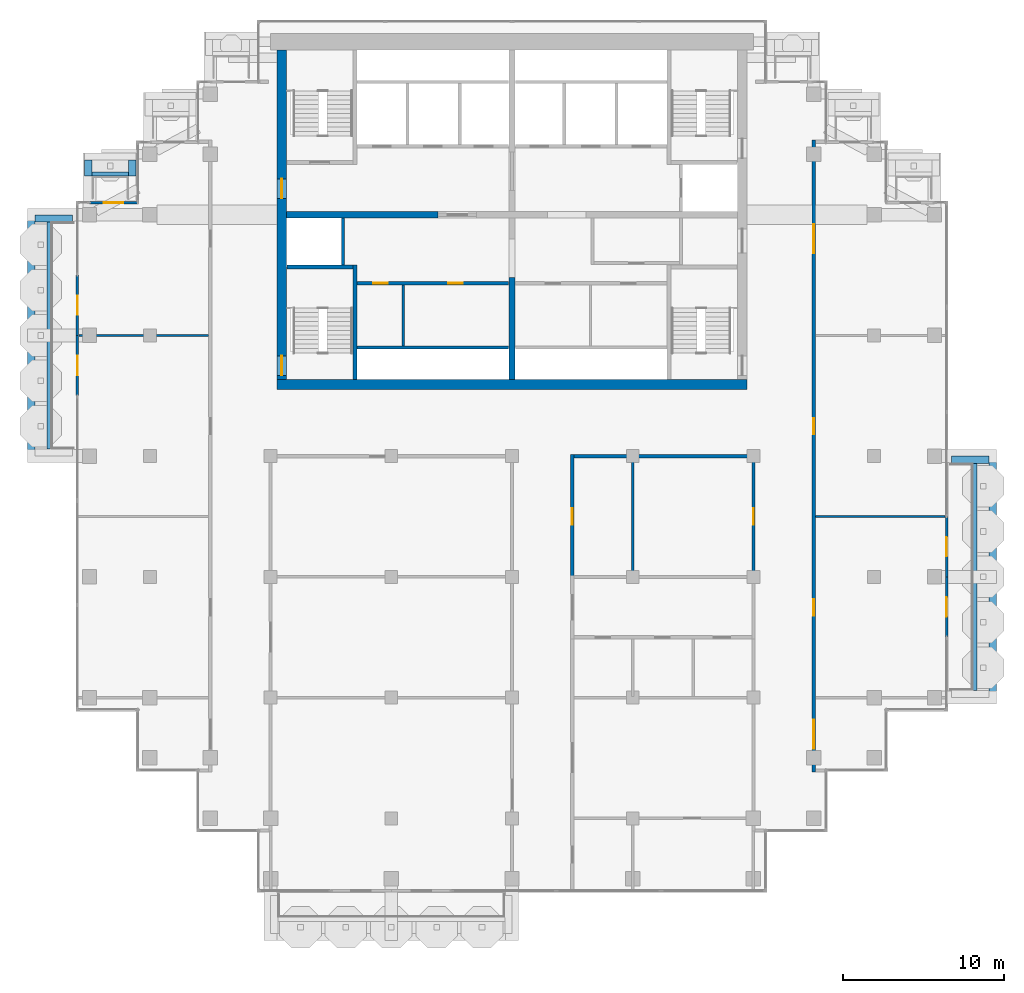
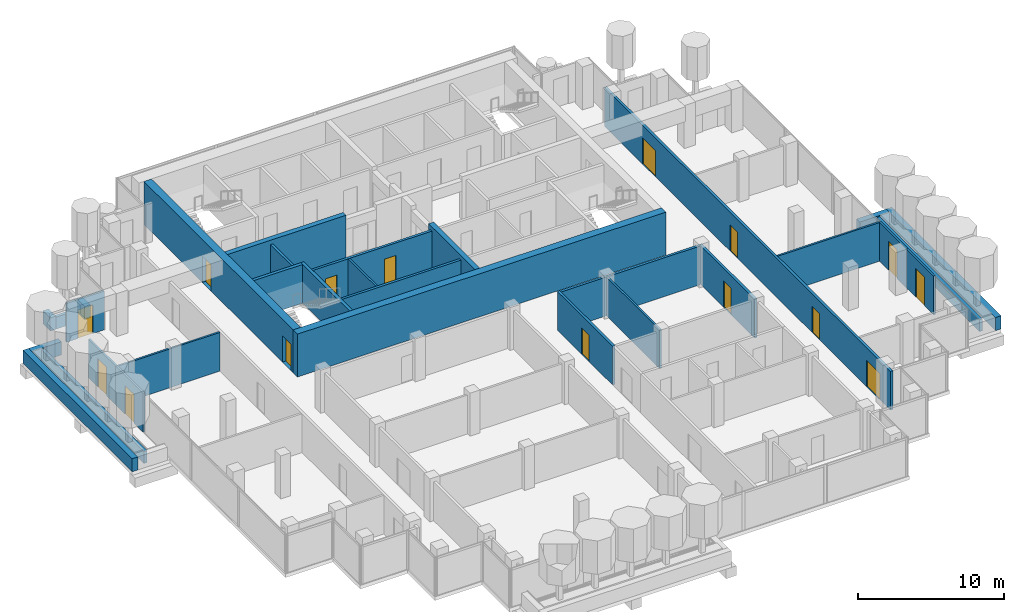
# One storey, part 12 of 18: 31 walls, 15 doors, 15 openings.
"""IFC4 building model written with IfcOpenShell, lengths in metres."""

from ifc_helpers import new_model, si_unit, direction, frame, frame_2d, origin, place, context, subcontext, project, spatial, rectangle, extrude, material, layer, layer_set, type_object, element, fill, save


model = new_model("IFC4")

# Units and contexts
model_context = context("Model", 3, precision=1e-05, world=origin(), true_north=direction((0.0, 1.0)))
body_context = subcontext(model_context, "Body", "Model", "MODEL_VIEW")
ifc_project = project(units=[si_unit("LENGTHUNIT", "METRE"), si_unit("AREAUNIT", "SQUARE_METRE"), si_unit("VOLUMEUNIT", "CUBIC_METRE"), si_unit("PLANEANGLEUNIT", "RADIAN"), si_unit("MASSUNIT", "GRAM", prefix="KILO")], contexts=[model_context])

# Site, building, storey
site_placement = place(None, origin())
site = spatial("IfcSite", under=ifc_project, at=site_placement, CompositionType="ELEMENT")
building_placement = place(site_placement, origin())
building = spatial("IfcBuilding", under=site, at=building_placement, Name="Pilkhan Gate Tower", CompositionType="ELEMENT")
storey_placement = place(building_placement, frame((0.0, 0.0, 249.89990234375)))
storey = spatial("IfcBuildingStorey", under=building, at=storey_placement, Name="L65", CompositionType="ELEMENT", Elevation=249.89990234375)

# Walls
ifc_material_1 = material(Name="Concrete C40/50", Category="concrete")
ifc_layer_1 = layer(ifc_material_1, 0.25)
ifc_layer_set_1 = layer_set([ifc_layer_1], Name="Balcony planter BP250")
wall_type_1 = type_object("IfcWallType", Name="Balcony planter BP250", PredefinedType="USERDEFINED", material=ifc_layer_set_1)
wall_1_placement = place(storey_placement, frame((103.77490234375, 52.949951171875, 0.0), z_axis=(0.0, 0.0, 1.0), x_axis=(0.0, 1.0, 0.0)))
element("IfcWall", 1, at=wall_1_placement, inside=storey, type_object=wall_type_1, Name="Balcony planter L65 E", ObjectType="BALCONY PLANTER", PredefinedType="USERDEFINED", context=body_context, shape_type="SweptSolid", body=[
    extrude(rectangle(XDim=14.10009765625, YDim=0.25, at=frame_2d((7.050048828125, 0.0))), origin(), (0.0, 0.0, 1.0), 1.0),
])
wall_2_placement = place(storey_placement, frame((48.89990234375, 85.02490234375, 0.0), z_axis=(0.0, 0.0, 1.0), x_axis=(1.0, 0.0, 0.0)))
element("IfcWall", 2, at=wall_2_placement, inside=storey, type_object=wall_type_1, Name="Balcony planter L65 N", ObjectType="BALCONY PLANTER", PredefinedType="USERDEFINED", context=body_context, shape_type="SweptSolid", body=[
    extrude(rectangle(XDim=2.280029296875, YDim=0.25, at=frame_2d((1.14013671875, 0.0))), origin(), (0.0, 0.0, 1.0), 1.0),
])
wall_3_placement = place(storey_placement, frame((46.22509765625, 67.949951171875, 0.0), z_axis=(0.0, 0.0, 1.0), x_axis=(0.0, 1.0, 0.0)))
element("IfcWall", 3, at=wall_3_placement, inside=storey, type_object=wall_type_1, Name="Balcony planter L65 W", ObjectType="BALCONY PLANTER", PredefinedType="USERDEFINED", context=body_context, shape_type="SweptSolid", body=[
    extrude(rectangle(XDim=14.10009765625, YDim=0.25, at=frame_2d((7.050048828125, 0.0))), origin(), (0.0, 0.0, 1.0), 1.0),
])
ifc_material_2 = material(Name="Board-marked Concrete C40/50", Category="concrete")
ifc_layer_2 = layer(ifc_material_2, 0.449951171875)
ifc_layer_set_2 = layer_set([ifc_layer_2], Name="Balcony planter lip BL450")
wall_type_2 = type_object("IfcWallType", Name="Balcony planter lip BL450", PredefinedType="USERDEFINED", material=ifc_layer_set_2)
wall_4_placement = place(storey_placement, frame((104.875, 52.5, 0.0), z_axis=(0.0, 0.0, 1.0), x_axis=(0.0, 1.0, 0.0)))
element("IfcWall", 4, at=wall_4_placement, inside=storey, type_object=wall_type_2, Name="Balcony planter L65 E", ObjectType="BALCONY PLANTER", PredefinedType="USERDEFINED", context=body_context, shape_type="SweptSolid", body=[
    extrude(rectangle(XDim=15.0, YDim=0.449951171875, at=frame_2d((7.5, 0.0))), origin(), (0.0, 0.0, 1.0), 1.10009765625),
])
wall_5_placement = place(storey_placement, frame((102.300048828125, 67.27490234375, 0.0), z_axis=(0.0, 0.0, 1.0), x_axis=(1.0, 0.0, 0.0)))
element("IfcWall", 5, at=wall_5_placement, inside=storey, type_object=wall_type_2, Name="Balcony planter L65 E", ObjectType="BALCONY PLANTER", PredefinedType="USERDEFINED", context=body_context, shape_type="SweptSolid", body=[
    extrude(rectangle(XDim=2.349853515625, YDim=0.449951171875, at=frame_2d((1.1748046875, 0.0))), origin(), (0.0, 0.0, 1.0), 1.10009765625),
])
for number, where, z_axis, x_axis, name in (
    (6, (48.675048828125, 84.89990234375, 0.0), (0.0, 0.0, 1.0), (0.0, 1.0, 0.0), "Balcony planter L65 N"),
    (7, (51.405029296875, 84.89990234375, 0.0), (0.0, 0.0, 1.0), (0.0, 1.0, 0.0), "Balcony planter L65 N"),
):
    element("IfcWall", number, at=place(storey_placement, frame(where, z_axis=z_axis, x_axis=x_axis)), inside=storey, type_object=wall_type_2, Name=name, ObjectType="BALCONY PLANTER", PredefinedType="USERDEFINED", context=body_context, shape_type="SweptSolid", body=[
        extrude(rectangle(XDim=1.0, YDim=0.449951171875, at=frame_2d((0.5, 0.0))), origin(), (0.0, 0.0, 1.0), 1.10009765625),
    ])
wall_6_placement = place(storey_placement, frame((45.125, 67.5, 0.0), z_axis=(0.0, 0.0, 1.0), x_axis=(0.0, 1.0, 0.0)))
element("IfcWall", 8, at=wall_6_placement, inside=storey, type_object=wall_type_2, Name="Balcony planter L65 W", ObjectType="BALCONY PLANTER", PredefinedType="USERDEFINED", context=body_context, shape_type="SweptSolid", body=[
    extrude(rectangle(XDim=15.0, YDim=0.449951171875, at=frame_2d((7.5, 0.0))), origin(), (0.0, 0.0, 1.0), 1.10009765625),
])
wall_7_placement = place(storey_placement, frame((47.699951171875, 82.27490234375, 0.0), z_axis=(0.0, 0.0, 1.0), x_axis=(-1.0, 0.0, 0.0)))
element("IfcWall", 9, at=wall_7_placement, inside=storey, type_object=wall_type_2, Name="Balcony planter L65 W", ObjectType="BALCONY PLANTER", PredefinedType="USERDEFINED", context=body_context, shape_type="SweptSolid", body=[
    extrude(rectangle(XDim=2.349853515625, YDim=0.449951171875, at=frame_2d((1.1748046875, 0.0))), origin(), (0.0, 0.0, 1.0), 1.10009765625),
])
ifc_material_3 = material(Name="Concrete C50/60", Category="concrete")
ifc_layer_3 = layer(ifc_material_3, 0.60009765625)
ifc_layer_set_3 = layer_set([ifc_layer_3], Name="Core wall CW600 C50/60")
wall_type_3 = type_object("IfcWallType", Name="Core wall CW600 C50/60", PredefinedType="SHEAR", material=ifc_layer_set_3)
wall_8_placement = place(storey_placement, frame((60.39990234375, 71.949951171875, 0.0), z_axis=(0.0, 0.0, 1.0), x_axis=(1.0, 0.0, 0.0)))
element("IfcWall", 10, at=wall_8_placement, inside=storey, type_object=wall_type_3, Name="Core wall S L65", PredefinedType="SHEAR", context=body_context, shape_type="SweptSolid", body=[
    extrude(rectangle(XDim=29.2001953125, YDim=0.60009765625, at=frame_2d((14.60009765625, 0.0))), origin(), (0.0, 0.0, 1.0), 3.60009765625),
])

# Wall, openings, doors
wall_9_placement = place(storey_placement, frame((60.699951171875, 92.75, 0.0), z_axis=(0.0, 0.0, 1.0), x_axis=(0.0, -1.0, 0.0)))
wall_9 = element("IfcWall", 11, at=wall_9_placement, inside=storey, type_object=wall_type_3, Name="Core wall W L65", PredefinedType="SHEAR", context=body_context, shape_type="SweptSolid", body=[
    extrude(rectangle(XDim=20.5, YDim=0.60009765625, at=frame_2d((10.25, 0.0))), origin(), (0.0, 0.0, 1.0), 3.60009765625),
])
opening_1_placement = place(wall_9_placement, frame((19.02490234375, 0.0, 0.0)))
opening_1 = element("IfcOpeningElement", 12, at=opening_1_placement, cuts=wall_9, Name="Opening L65-04", PredefinedType="OPENING", context=body_context, shape_type="SweptSolid", body=[
    extrude(rectangle(XDim=1.199951171875, YDim=2.199951171875, at=frame_2d((0.60009765625, 1.10009765625))), frame((0.0, 0.31005859375, 0.0), z_axis=(0.0, -1.0, 0.0), x_axis=(1.0, 0.0, 0.0)), (0.0, 0.0, 1.0), 0.6201171875),
])
opening_2_placement = place(wall_9_placement, frame((8.02490234375, 0.0, 0.0)))
opening_2 = element("IfcOpeningElement", 13, at=opening_2_placement, cuts=wall_9, Name="Opening L65-08", PredefinedType="OPENING", context=body_context, shape_type="SweptSolid", body=[
    extrude(rectangle(XDim=1.199951171875, YDim=2.199951171875, at=frame_2d((0.60009765625, 1.10009765625))), frame((0.0, 0.31005859375, 0.0), z_axis=(0.0, -1.0, 0.0), x_axis=(1.0, 0.0, 0.0)), (0.0, 0.0, 1.0), 0.6201171875),
])
ifc_material_4 = material(Name="Steel door, 120 minute fire resisting, self-closing", Category="steel")
door_type_1 = type_object("IfcDoorType", Name="Firefighting lobby door D10 1200x2200", OperationType="SINGLE_SWING_LEFT", PredefinedType="DOOR", material=ifc_material_4)
door_1_placement = place(opening_2_placement, origin())
door_1 = element("IfcDoor", 14, at=door_1_placement, inside=storey, type_object=door_type_1, Name="Core door", OperationType="SINGLE_SWING_LEFT", OverallHeight=2.199951171875, OverallWidth=1.199951171875, PredefinedType="DOOR", context=body_context, shape_type="SweptSolid", body=[
    extrude(rectangle(XDim=1.199951171875, YDim=2.199951171875, at=frame_2d((0.60009765625, 1.10009765625))), frame((0.0, 0.02490234375, 0.0), z_axis=(0.0, -1.0, 0.0), x_axis=(1.0, 0.0, 0.0)), (0.0, 0.0, 1.0), 0.050048828125),
])
fill(opening_2, door_1)
ifc_material_5 = material(Name="Steel door, 120 minute fire resisting, panic bar", Category="steel")
door_type_2 = type_object("IfcDoorType", Name="Stair door D11 1200x2200", OperationType="SINGLE_SWING_LEFT", PredefinedType="DOOR", material=ifc_material_5)
door_2_placement = place(opening_1_placement, origin())
door_2 = element("IfcDoor", 15, at=door_2_placement, inside=storey, type_object=door_type_2, Name="Stair ST2 door", OperationType="SINGLE_SWING_LEFT", OverallHeight=2.199951171875, OverallWidth=1.199951171875, PredefinedType="DOOR", context=body_context, shape_type="SweptSolid", body=[
    extrude(rectangle(XDim=1.199951171875, YDim=2.199951171875, at=frame_2d((0.60009765625, 1.10009765625))), frame((0.0, 0.02490234375, 0.0), z_axis=(0.0, -1.0, 0.0), x_axis=(1.0, 0.0, 0.0)), (0.0, 0.0, 1.0), 0.050048828125),
])
fill(opening_1, door_2)

# Wall
ifc_material_6 = material(Name="Dense blockwork", Category="masonry")
ifc_layer_4 = layer(ifc_material_6, 0.199951171875)
ifc_layer_set_4 = layer_set([ifc_layer_4], Name="Corridor wall FW200")
wall_type_4 = type_object("IfcWallType", Name="Corridor wall FW200", PredefinedType="PARTITIONING", material=ifc_layer_set_4)
wall_10_placement = place(storey_placement, frame((78.85009765625, 67.5, 0.0), z_axis=(0.0, 0.0, 1.0), x_axis=(1.0, 0.0, 0.0)))
element("IfcWall", 16, at=wall_10_placement, inside=storey, type_object=wall_type_4, Name="Partition L65", PredefinedType="PARTITIONING", context=body_context, shape_type="SweptSolid", body=[
    extrude(rectangle(XDim=11.0498046875, YDim=0.199951171875, at=frame_2d((5.52490234375, 0.0))), origin(), (0.0, 0.0, 1.0), 3.25),
])

# Wall, opening, door
wall_11_placement = place(storey_placement, frame((78.75, 60.0, 0.0), z_axis=(0.0, 0.0, 1.0), x_axis=(0.0, 1.0, 0.0)))
wall_11 = element("IfcWall", 17, at=wall_11_placement, inside=storey, type_object=wall_type_4, Name="Partition L65", PredefinedType="PARTITIONING", context=body_context, shape_type="SweptSolid", body=[
    extrude(rectangle(XDim=7.60009765625, YDim=0.199951171875, at=frame_2d((3.800048828125, 0.0))), origin(), (0.0, 0.0, 1.0), 3.25),
])
opening_3_placement = place(wall_11_placement, frame((3.25, 0.0, 0.0)))
opening_3 = element("IfcOpeningElement", 18, at=opening_3_placement, cuts=wall_11, Name="Opening L65-23", PredefinedType="OPENING", context=body_context, shape_type="SweptSolid", body=[
    extrude(rectangle(XDim=1.0, YDim=2.199951171875, at=frame_2d((0.5, 1.10009765625))), frame((0.0, 0.10986328125, 0.0), z_axis=(0.0, -1.0, 0.0), x_axis=(1.0, 0.0, 0.0)), (0.0, 0.0, 1.0), 0.219970703125),
])
ifc_material_7 = material(Name="Timber flush door, 30 minute fire resisting", Category="wood")
door_type_3 = type_object("IfcDoorType", Name="Room door D03 1000x2200", OperationType="SINGLE_SWING_LEFT", PredefinedType="DOOR", material=ifc_material_7)
door_3_placement = place(opening_3_placement, origin())
door_3 = element("IfcDoor", 19, at=door_3_placement, inside=storey, type_object=door_type_3, Name="Room door", OperationType="SINGLE_SWING_LEFT", OverallHeight=2.199951171875, OverallWidth=1.0, PredefinedType="DOOR", context=body_context, shape_type="SweptSolid", body=[
    extrude(rectangle(XDim=1.0, YDim=2.199951171875, at=frame_2d((0.5, 1.10009765625))), frame((0.0, 0.02490234375, 0.0), z_axis=(0.0, -1.0, 0.0), x_axis=(1.0, 0.0, 0.0)), (0.0, 0.0, 1.0), 0.050048828125),
])
fill(opening_3, door_3)

wall_12_placement = place(storey_placement, frame((90.0, 60.0, 0.0), z_axis=(0.0, 0.0, 1.0), x_axis=(0.0, 1.0, 0.0)))
wall_12 = element("IfcWall", 20, at=wall_12_placement, inside=storey, type_object=wall_type_4, Name="Partition L65", PredefinedType="PARTITIONING", context=body_context, shape_type="SweptSolid", body=[
    extrude(rectangle(XDim=7.60009765625, YDim=0.199951171875, at=frame_2d((3.800048828125, 0.0))), origin(), (0.0, 0.0, 1.0), 3.25),
])
opening_4_placement = place(wall_12_placement, frame((3.25, 0.0, 0.0)))
opening_4 = element("IfcOpeningElement", 21, at=opening_4_placement, cuts=wall_12, Name="Opening L65-24", PredefinedType="OPENING", context=body_context, shape_type="SweptSolid", body=[
    extrude(rectangle(XDim=1.0, YDim=2.199951171875, at=frame_2d((0.5, 1.10009765625))), frame((0.0, 0.10986328125, 0.0), z_axis=(0.0, -1.0, 0.0), x_axis=(1.0, 0.0, 0.0)), (0.0, 0.0, 1.0), 0.219970703125),
])
door_4_placement = place(opening_4_placement, origin())
door_4 = element("IfcDoor", 22, at=door_4_placement, inside=storey, type_object=door_type_3, Name="Room door", OperationType="SINGLE_SWING_LEFT", OverallHeight=2.199951171875, OverallWidth=1.0, PredefinedType="DOOR", context=body_context, shape_type="SweptSolid", body=[
    extrude(rectangle(XDim=1.0, YDim=2.199951171875, at=frame_2d((0.5, 1.10009765625))), frame((0.0, 0.02490234375, 0.0), z_axis=(0.0, -1.0, 0.0), x_axis=(1.0, 0.0, 0.0)), (0.0, 0.0, 1.0), 0.050048828125),
])
fill(opening_4, door_4)

# Wall, openings, doors
wall_13_placement = place(storey_placement, frame((93.75, 47.8701171875, 0.0), z_axis=(0.0, 0.0, 1.0), x_axis=(0.0, 1.0, 0.0)))
wall_13 = element("IfcWall", 23, at=wall_13_placement, inside=storey, type_object=wall_type_4, Name="Partition L65", PredefinedType="PARTITIONING", context=body_context, shape_type="SweptSolid", body=[
    extrude(rectangle(XDim=39.259765625, YDim=0.199951171875, at=frame_2d((19.6298828125, 0.0))), origin(), (0.0, 0.0, 1.0), 3.25),
])
opening_5_placement = place(wall_13_placement, frame((1.449951171875, 0.0, 0.0)))
opening_5 = element("IfcOpeningElement", 24, at=opening_5_placement, cuts=wall_13, Name="Opening L65-28", PredefinedType="OPENING", context=body_context, shape_type="SweptSolid", body=[
    extrude(rectangle(XDim=1.800048828125, YDim=2.199951171875, at=frame_2d((0.89990234375, 1.10009765625))), frame((0.0, 0.10986328125, 0.0), z_axis=(0.0, -1.0, 0.0), x_axis=(1.0, 0.0, 0.0)), (0.0, 0.0, 1.0), 0.219970703125),
])
opening_6_placement = place(wall_13_placement, frame((9.72998046875, 0.0, 0.0)))
opening_6 = element("IfcOpeningElement", 25, at=opening_6_placement, cuts=wall_13, Name="Opening L65-29", PredefinedType="OPENING", context=body_context, shape_type="SweptSolid", body=[
    extrude(rectangle(XDim=1.0, YDim=2.199951171875, at=frame_2d((0.5, 1.10009765625))), frame((0.0, 0.10986328125, 0.0), z_axis=(0.0, -1.0, 0.0), x_axis=(1.0, 0.0, 0.0)), (0.0, 0.0, 1.0), 0.219970703125),
])
opening_7_placement = place(wall_13_placement, frame((20.97998046875, 0.0, 0.0)))
opening_7 = element("IfcOpeningElement", 26, at=opening_7_placement, cuts=wall_13, Name="Opening L65-30", PredefinedType="OPENING", context=body_context, shape_type="SweptSolid", body=[
    extrude(rectangle(XDim=1.0, YDim=2.199951171875, at=frame_2d((0.5, 1.10009765625))), frame((0.0, 0.10986328125, 0.0), z_axis=(0.0, -1.0, 0.0), x_axis=(1.0, 0.0, 0.0)), (0.0, 0.0, 1.0), 0.219970703125),
])
opening_8_placement = place(wall_13_placement, frame((32.22998046875, 0.0, 0.0)))
opening_8 = element("IfcOpeningElement", 27, at=opening_8_placement, cuts=wall_13, Name="Opening L65-32", PredefinedType="OPENING", context=body_context, shape_type="SweptSolid", body=[
    extrude(rectangle(XDim=1.800048828125, YDim=2.199951171875, at=frame_2d((0.89990234375, 1.10009765625))), frame((0.0, 0.10986328125, 0.0), z_axis=(0.0, -1.0, 0.0), x_axis=(1.0, 0.0, 0.0)), (0.0, 0.0, 1.0), 0.219970703125),
])
ifc_material_8 = material(Name="Timber glazed double door, 30 minute fire resisting", Category="wood")
door_type_4 = type_object("IfcDoorType", Name="Double door D04 1800x2200", OperationType="DOUBLE_DOOR_SINGLE_SWING", PredefinedType="DOOR", material=ifc_material_8)
door_5_placement = place(opening_5_placement, origin())
door_5 = element("IfcDoor", 28, at=door_5_placement, inside=storey, type_object=door_type_4, Name="Double door", OperationType="DOUBLE_DOOR_SINGLE_SWING", OverallHeight=2.199951171875, OverallWidth=1.800048828125, PredefinedType="DOOR", context=body_context, shape_type="SweptSolid", body=[
    extrude(rectangle(XDim=1.800048828125, YDim=2.199951171875, at=frame_2d((0.89990234375, 1.10009765625))), frame((0.0, 0.02490234375, 0.0), z_axis=(0.0, -1.0, 0.0), x_axis=(1.0, 0.0, 0.0)), (0.0, 0.0, 1.0), 0.050048828125),
])
fill(opening_5, door_5)
door_6_placement = place(opening_8_placement, origin())
door_6 = element("IfcDoor", 29, at=door_6_placement, inside=storey, type_object=door_type_4, Name="Double door", OperationType="DOUBLE_DOOR_SINGLE_SWING", OverallHeight=2.199951171875, OverallWidth=1.800048828125, PredefinedType="DOOR", context=body_context, shape_type="SweptSolid", body=[
    extrude(rectangle(XDim=1.800048828125, YDim=2.199951171875, at=frame_2d((0.89990234375, 1.10009765625))), frame((0.0, 0.02490234375, 0.0), z_axis=(0.0, -1.0, 0.0), x_axis=(1.0, 0.0, 0.0)), (0.0, 0.0, 1.0), 0.050048828125),
])
fill(opening_8, door_6)
door_7_placement = place(opening_6_placement, origin())
door_7 = element("IfcDoor", 30, at=door_7_placement, inside=storey, type_object=door_type_3, Name="Room door", OperationType="SINGLE_SWING_LEFT", OverallHeight=2.199951171875, OverallWidth=1.0, PredefinedType="DOOR", context=body_context, shape_type="SweptSolid", body=[
    extrude(rectangle(XDim=1.0, YDim=2.199951171875, at=frame_2d((0.5, 1.10009765625))), frame((0.0, 0.02490234375, 0.0), z_axis=(0.0, -1.0, 0.0), x_axis=(1.0, 0.0, 0.0)), (0.0, 0.0, 1.0), 0.050048828125),
])
fill(opening_6, door_7)
door_8_placement = place(opening_7_placement, origin())
door_8 = element("IfcDoor", 31, at=door_8_placement, inside=storey, type_object=door_type_3, Name="Room door", OperationType="SINGLE_SWING_RIGHT", OverallHeight=2.199951171875, OverallWidth=1.0, PredefinedType="DOOR", context=body_context, shape_type="SweptSolid", body=[
    extrude(rectangle(XDim=1.0, YDim=2.199951171875, at=frame_2d((0.5, 1.10009765625))), frame((0.0, 0.02490234375, 0.0), z_axis=(0.0, -1.0, 0.0), x_axis=(1.0, 0.0, 0.0)), (0.0, 0.0, 1.0), 0.050048828125),
])
fill(opening_7, door_8)

# Wall, opening, door
ifc_material_9 = material(Name="Pale anodised aluminium, clear laminated glazing", Category="aluminium")
ifc_layer_5 = layer(ifc_material_9, 0.14990234375)
ifc_layer_set_5 = layer_set([ifc_layer_5], Name="Facade infill wall IW150")
wall_type_5 = type_object("IfcWallType", Name="Facade infill wall IW150", PredefinedType="SOLIDWALL", material=ifc_layer_set_5)
wall_14_placement = place(storey_placement, frame((102.0, 56.25, 0.0), z_axis=(0.0, 0.0, 1.0), x_axis=(0.0, 1.0, 0.0)))
wall_14 = element("IfcWall", 32, at=wall_14_placement, inside=storey, type_object=wall_type_5, Name="Infill wall L65 E", PredefinedType="SOLIDWALL", context=body_context, shape_type="SweptSolid", body=[
    extrude(rectangle(XDim=3.75, YDim=0.14990234375, at=frame_2d((1.875, 0.0))), origin(), (0.0, 0.0, 1.0), 3.25),
])
opening_9_placement = place(wall_14_placement, frame((1.27490234375, 0.0, 0.0)))
opening_9 = element("IfcOpeningElement", 33, at=opening_9_placement, cuts=wall_14, Name="Opening D1", PredefinedType="OPENING", context=body_context, shape_type="SweptSolid", body=[
    extrude(rectangle(XDim=1.199951171875, YDim=2.39990234375, at=frame_2d((0.60009765625, 1.199951171875))), frame((0.0, 0.0849609375, 0.0), z_axis=(0.0, -1.0, 0.0), x_axis=(1.0, 0.0, 0.0)), (0.0, 0.0, 1.0), 0.169921875),
])
ifc_material_10 = material(Name="Pale anodised aluminium, clear glazing", Category="aluminium")
door_type_5 = type_object("IfcDoorType", Name="Balcony door D1 1200x2400", OperationType="SINGLE_SWING_LEFT", PredefinedType="DOOR", material=ifc_material_10)
door_9_placement = place(opening_9_placement, origin())
door_9 = element("IfcDoor", 34, at=door_9_placement, inside=storey, type_object=door_type_5, Name="Balcony door L65", OperationType="SINGLE_SWING_LEFT", OverallHeight=2.39990234375, OverallWidth=1.199951171875, PredefinedType="DOOR", context=body_context, shape_type="SweptSolid", body=[
    extrude(rectangle(XDim=1.199951171875, YDim=2.39990234375, at=frame_2d((0.60009765625, 1.199951171875))), frame((0.0, 0.02490234375, 0.0), z_axis=(0.0, -1.0, 0.0), x_axis=(1.0, 0.0, 0.0)), (0.0, 0.0, 1.0), 0.050048828125),
])
fill(opening_9, door_9)

wall_15_placement = place(storey_placement, frame((102.0, 60.0, 0.0), z_axis=(0.0, 0.0, 1.0), x_axis=(0.0, 1.0, 0.0)))
wall_15 = element("IfcWall", 35, at=wall_15_placement, inside=storey, type_object=wall_type_5, Name="Infill wall L65 E", PredefinedType="SOLIDWALL", context=body_context, shape_type="SweptSolid", body=[
    extrude(rectangle(XDim=3.75, YDim=0.14990234375, at=frame_2d((1.875, 0.0))), origin(), (0.0, 0.0, 1.0), 3.25),
])
opening_10_placement = place(wall_15_placement, frame((1.27490234375, 0.0, 0.0)))
opening_10 = element("IfcOpeningElement", 36, at=opening_10_placement, cuts=wall_15, Name="Opening D1", PredefinedType="OPENING", context=body_context, shape_type="SweptSolid", body=[
    extrude(rectangle(XDim=1.199951171875, YDim=2.39990234375, at=frame_2d((0.60009765625, 1.199951171875))), frame((0.0, 0.0849609375, 0.0), z_axis=(0.0, -1.0, 0.0), x_axis=(1.0, 0.0, 0.0)), (0.0, 0.0, 1.0), 0.169921875),
])
door_10_placement = place(opening_10_placement, origin())
door_10 = element("IfcDoor", 37, at=door_10_placement, inside=storey, type_object=door_type_5, Name="Balcony door L65", OperationType="SINGLE_SWING_LEFT", OverallHeight=2.39990234375, OverallWidth=1.199951171875, PredefinedType="DOOR", context=body_context, shape_type="SweptSolid", body=[
    extrude(rectangle(XDim=1.199951171875, YDim=2.39990234375, at=frame_2d((0.60009765625, 1.199951171875))), frame((0.0, 0.02490234375, 0.0), z_axis=(0.0, -1.0, 0.0), x_axis=(1.0, 0.0, 0.0)), (0.0, 0.0, 1.0), 0.050048828125),
])
fill(opening_10, door_10)

wall_16_placement = place(storey_placement, frame((48.75, 83.25, 0.0), z_axis=(0.0, 0.0, 1.0), x_axis=(1.0, 0.0, 0.0)))
wall_16 = element("IfcWall", 38, at=wall_16_placement, inside=storey, type_object=wall_type_5, Name="Infill wall L65 N", PredefinedType="SOLIDWALL", context=body_context, shape_type="SweptSolid", body=[
    extrude(rectangle(XDim=3.0, YDim=0.14990234375, at=frame_2d((1.5, 0.0))), origin(), (0.0, 0.0, 1.0), 3.25),
])
opening_11_placement = place(wall_16_placement, frame((0.89990234375, 0.0, 0.0)))
opening_11 = element("IfcOpeningElement", 39, at=opening_11_placement, cuts=wall_16, Name="Opening D1", PredefinedType="OPENING", context=body_context, shape_type="SweptSolid", body=[
    extrude(rectangle(XDim=1.199951171875, YDim=2.39990234375, at=frame_2d((0.60009765625, 1.199951171875))), frame((0.0, 0.0849609375, 0.0), z_axis=(0.0, -1.0, 0.0), x_axis=(1.0, 0.0, 0.0)), (0.0, 0.0, 1.0), 0.169921875),
])
door_11_placement = place(opening_11_placement, origin())
door_11 = element("IfcDoor", 40, at=door_11_placement, inside=storey, type_object=door_type_5, Name="Balcony door L65", OperationType="SINGLE_SWING_LEFT", OverallHeight=2.39990234375, OverallWidth=1.199951171875, PredefinedType="DOOR", context=body_context, shape_type="SweptSolid", body=[
    extrude(rectangle(XDim=1.199951171875, YDim=2.39990234375, at=frame_2d((0.60009765625, 1.199951171875))), frame((0.0, 0.02490234375, 0.0), z_axis=(0.0, -1.0, 0.0), x_axis=(1.0, 0.0, 0.0)), (0.0, 0.0, 1.0), 0.050048828125),
])
fill(opening_11, door_11)

wall_17_placement = place(storey_placement, frame((48.0, 71.25, 0.0), z_axis=(0.0, 0.0, 1.0), x_axis=(0.0, 1.0, 0.0)))
wall_17 = element("IfcWall", 41, at=wall_17_placement, inside=storey, type_object=wall_type_5, Name="Infill wall L65 W", PredefinedType="SOLIDWALL", context=body_context, shape_type="SweptSolid", body=[
    extrude(rectangle(XDim=3.75, YDim=0.14990234375, at=frame_2d((1.875, 0.0))), origin(), (0.0, 0.0, 1.0), 3.25),
])
opening_12_placement = place(wall_17_placement, frame((1.27490234375, 0.0, 0.0)))
opening_12 = element("IfcOpeningElement", 42, at=opening_12_placement, cuts=wall_17, Name="Opening D1", PredefinedType="OPENING", context=body_context, shape_type="SweptSolid", body=[
    extrude(rectangle(XDim=1.199951171875, YDim=2.39990234375, at=frame_2d((0.60009765625, 1.199951171875))), frame((0.0, 0.0849609375, 0.0), z_axis=(0.0, -1.0, 0.0), x_axis=(1.0, 0.0, 0.0)), (0.0, 0.0, 1.0), 0.169921875),
])
door_12_placement = place(opening_12_placement, origin())
door_12 = element("IfcDoor", 43, at=door_12_placement, inside=storey, type_object=door_type_5, Name="Balcony door L65", OperationType="SINGLE_SWING_LEFT", OverallHeight=2.39990234375, OverallWidth=1.199951171875, PredefinedType="DOOR", context=body_context, shape_type="SweptSolid", body=[
    extrude(rectangle(XDim=1.199951171875, YDim=2.39990234375, at=frame_2d((0.60009765625, 1.199951171875))), frame((0.0, 0.02490234375, 0.0), z_axis=(0.0, -1.0, 0.0), x_axis=(1.0, 0.0, 0.0)), (0.0, 0.0, 1.0), 0.050048828125),
])
fill(opening_12, door_12)

wall_18_placement = place(storey_placement, frame((48.0, 75.0, 0.0), z_axis=(0.0, 0.0, 1.0), x_axis=(0.0, 1.0, 0.0)))
wall_18 = element("IfcWall", 44, at=wall_18_placement, inside=storey, type_object=wall_type_5, Name="Infill wall L65 W", PredefinedType="SOLIDWALL", context=body_context, shape_type="SweptSolid", body=[
    extrude(rectangle(XDim=3.75, YDim=0.14990234375, at=frame_2d((1.875, 0.0))), origin(), (0.0, 0.0, 1.0), 3.25),
])
opening_13_placement = place(wall_18_placement, frame((1.27490234375, 0.0, 0.0)))
opening_13 = element("IfcOpeningElement", 45, at=opening_13_placement, cuts=wall_18, Name="Opening D1", PredefinedType="OPENING", context=body_context, shape_type="SweptSolid", body=[
    extrude(rectangle(XDim=1.199951171875, YDim=2.39990234375, at=frame_2d((0.60009765625, 1.199951171875))), frame((0.0, 0.0849609375, 0.0), z_axis=(0.0, -1.0, 0.0), x_axis=(1.0, 0.0, 0.0)), (0.0, 0.0, 1.0), 0.169921875),
])
door_13_placement = place(opening_13_placement, origin())
door_13 = element("IfcDoor", 46, at=door_13_placement, inside=storey, type_object=door_type_5, Name="Balcony door L65", OperationType="SINGLE_SWING_LEFT", OverallHeight=2.39990234375, OverallWidth=1.199951171875, PredefinedType="DOOR", context=body_context, shape_type="SweptSolid", body=[
    extrude(rectangle(XDim=1.199951171875, YDim=2.39990234375, at=frame_2d((0.60009765625, 1.199951171875))), frame((0.0, 0.02490234375, 0.0), z_axis=(0.0, -1.0, 0.0), x_axis=(1.0, 0.0, 0.0)), (0.0, 0.0, 1.0), 0.050048828125),
])
fill(opening_13, door_13)

# Wall
ifc_layer_6 = layer(ifc_material_6, 0.199951171875)
ifc_layer_set_6 = layer_set([ifc_layer_6], Name="Lobby wall LW200")
wall_type_6 = type_object("IfcWallType", Name="Lobby wall LW200", PredefinedType="PARTITIONING", material=ifc_layer_set_6)
wall_19_placement = place(storey_placement, frame((65.375, 74.25, 0.0), z_axis=(0.0, 0.0, 1.0), x_axis=(1.0, 0.0, 0.0)))
element("IfcWall", 47, at=wall_19_placement, inside=storey, type_object=wall_type_6, Name="Partition L65", PredefinedType="PARTITIONING", context=body_context, shape_type="SweptSolid", body=[
    extrude(rectangle(XDim=9.4150390625, YDim=0.199951171875, at=frame_2d((4.70751953125, 0.0))), origin(), (0.0, 0.0, 1.0), 3.25),
])

# Wall, openings, doors
wall_20_placement = place(storey_placement, frame((65.375, 78.25, 0.0), z_axis=(0.0, 0.0, 1.0), x_axis=(1.0, 0.0, 0.0)))
wall_20 = element("IfcWall", 48, at=wall_20_placement, inside=storey, type_object=wall_type_6, Name="Partition L65", PredefinedType="PARTITIONING", context=body_context, shape_type="SweptSolid", body=[
    extrude(rectangle(XDim=9.4150390625, YDim=0.199951171875, at=frame_2d((4.70751953125, 0.0))), origin(), (0.0, 0.0, 1.0), 3.25),
])
opening_14_placement = place(wall_20_placement, frame((1.0, 0.0, 0.0)))
opening_14 = element("IfcOpeningElement", 49, at=opening_14_placement, cuts=wall_20, Name="Opening L65-09", PredefinedType="OPENING", context=body_context, shape_type="SweptSolid", body=[
    extrude(rectangle(XDim=0.89990234375, YDim=2.199951171875, at=frame_2d((0.449951171875, 1.10009765625))), frame((0.0, 0.10986328125, 0.0), z_axis=(0.0, -1.0, 0.0), x_axis=(1.0, 0.0, 0.0)), (0.0, 0.0, 1.0), 0.219970703125),
])
opening_15_placement = place(wall_20_placement, frame((5.6650390625, 0.0, 0.0)))
opening_15 = element("IfcOpeningElement", 50, at=opening_15_placement, cuts=wall_20, Name="Opening L65-10", PredefinedType="OPENING", context=body_context, shape_type="SweptSolid", body=[
    extrude(rectangle(XDim=0.89990234375, YDim=2.199951171875, at=frame_2d((0.449951171875, 1.10009765625))), frame((0.0, 0.10986328125, 0.0), z_axis=(0.0, -1.0, 0.0), x_axis=(1.0, 0.0, 0.0)), (0.0, 0.0, 1.0), 0.219970703125),
])
ifc_material_11 = material(Name="Timber flush door, 60 minute fire resisting, self-closing", Category="wood")
door_type_6 = type_object("IfcDoorType", Name="Store door D05 900x2200", OperationType="SINGLE_SWING_LEFT", PredefinedType="DOOR", material=ifc_material_11)
door_14_placement = place(opening_14_placement, origin())
door_14 = element("IfcDoor", 51, at=door_14_placement, inside=storey, type_object=door_type_6, Name="Store door", OperationType="SINGLE_SWING_RIGHT", OverallHeight=2.199951171875, OverallWidth=0.89990234375, PredefinedType="DOOR", context=body_context, shape_type="SweptSolid", body=[
    extrude(rectangle(XDim=0.89990234375, YDim=2.199951171875, at=frame_2d((0.449951171875, 1.10009765625))), frame((0.0, 0.02490234375, 0.0), z_axis=(0.0, -1.0, 0.0), x_axis=(1.0, 0.0, 0.0)), (0.0, 0.0, 1.0), 0.050048828125),
])
fill(opening_14, door_14)
door_15_placement = place(opening_15_placement, origin())
door_15 = element("IfcDoor", 52, at=door_15_placement, inside=storey, type_object=door_type_6, Name="Store door", OperationType="SINGLE_SWING_RIGHT", OverallHeight=2.199951171875, OverallWidth=0.89990234375, PredefinedType="DOOR", context=body_context, shape_type="SweptSolid", body=[
    extrude(rectangle(XDim=0.89990234375, YDim=2.199951171875, at=frame_2d((0.449951171875, 1.10009765625))), frame((0.0, 0.02490234375, 0.0), z_axis=(0.0, -1.0, 0.0), x_axis=(1.0, 0.0, 0.0)), (0.0, 0.0, 1.0), 0.050048828125),
])
fill(opening_15, door_15)

# Walls
ifc_material_12 = material(Name="Blockwork partition, plastered both sides", Category="masonry")
ifc_layer_7 = layer(ifc_material_12, 0.14990234375)
ifc_layer_set_7 = layer_set([ifc_layer_7], Name="Partition PW150")
wall_type_7 = type_object("IfcWallType", Name="Partition PW150", PredefinedType="PARTITIONING", material=ifc_layer_set_7)
for number, where, z_axis, x_axis, name in (
    (53, (93.85009765625, 63.75, 0.0), (0.0, 0.0, 1.0), (1.0, 0.0, 0.0), "Partition L65"),
    (54, (48.0849609375, 75.0, 0.0), (0.0, 0.0, 1.0), (1.0, 0.0, 0.0), "Partition L65"),
):
    element("IfcWall", number, at=place(storey_placement, frame(where, z_axis=z_axis, x_axis=x_axis)), inside=storey, type_object=wall_type_7, Name=name, PredefinedType="PARTITIONING", context=body_context, shape_type="SweptSolid", body=[
        extrude(rectangle(XDim=8.06494140625, YDim=0.14990234375, at=frame_2d((4.032470703125, 0.0))), origin(), (0.0, 0.0, 1.0), 3.25),
    ])
wall_21_placement = place(storey_placement, frame((68.239990234375, 74.35009765625, 0.0), z_axis=(0.0, 0.0, 1.0), x_axis=(0.0, 1.0, 0.0)))
element("IfcWall", 55, at=wall_21_placement, inside=storey, type_object=wall_type_7, Name="Partition L65", PredefinedType="PARTITIONING", context=body_context, shape_type="SweptSolid", body=[
    extrude(rectangle(XDim=3.7998046875, YDim=0.14990234375, at=frame_2d((1.89990234375, 0.0))), origin(), (0.0, 0.0, 1.0), 3.25),
])
wall_22_placement = place(storey_placement, frame((82.5, 60.10009765625, 0.0), z_axis=(0.0, 0.0, 1.0), x_axis=(0.0, 1.0, 0.0)))
element("IfcWall", 56, at=wall_22_placement, inside=storey, type_object=wall_type_7, Name="Partition L65", PredefinedType="PARTITIONING", context=body_context, shape_type="SweptSolid", body=[
    extrude(rectangle(XDim=7.2998046875, YDim=0.14990234375, at=frame_2d((3.64990234375, 0.0))), origin(), (0.0, 0.0, 1.0), 3.25),
])
ifc_material_13 = material(Name="Reinforced blockwork shaft wall, 120 minute fire resisting", Category="masonry")
ifc_layer_8 = layer(ifc_material_13, 0.199951171875)
ifc_layer_set_8 = layer_set([ifc_layer_8], Name="Shaft wall SW200")
wall_type_8 = type_object("IfcWallType", Name="Shaft wall SW200", PredefinedType="PARTITIONING", material=ifc_layer_set_8)
wall_23_placement = place(storey_placement, frame((64.5, 79.375, 0.0), z_axis=(0.0, 0.0, 1.0), x_axis=(0.0, 1.0, 0.0)))
element("IfcWall", 57, at=wall_23_placement, inside=storey, type_object=wall_type_8, Name="Partition L65", PredefinedType="PARTITIONING", context=body_context, shape_type="SweptSolid", body=[
    extrude(rectangle(XDim=2.9150390625, YDim=0.199951171875, at=frame_2d((1.45751953125, 0.0))), origin(), (0.0, 0.0, 1.0), 3.25),
])
ifc_layer_9 = layer(ifc_material_3, 0.39990234375)
ifc_layer_set_9 = layer_set([ifc_layer_9], Name="Spine wall SW400 C50/60")
wall_type_9 = type_object("IfcWallType", Name="Spine wall SW400 C50/60", PredefinedType="SHEAR", material=ifc_layer_set_9)
wall_24_placement = place(storey_placement, frame((61.0, 82.5, 0.0), z_axis=(0.0, 0.0, 1.0), x_axis=(1.0, 0.0, 0.0)))
element("IfcWall", 58, at=wall_24_placement, inside=storey, type_object=wall_type_9, Name="Spine wall SP-EW1 L65", PredefinedType="SHEAR", context=body_context, shape_type="SweptSolid", body=[
    extrude(rectangle(XDim=9.39990234375, YDim=0.39990234375, at=frame_2d((4.699951171875, 0.0))), origin(), (0.0, 0.0, 1.0), 3.60009765625),
])
wall_25_placement = place(storey_placement, frame((75.0, 72.25, 0.0), z_axis=(0.0, 0.0, 1.0), x_axis=(0.0, 1.0, 0.0)))
element("IfcWall", 59, at=wall_25_placement, inside=storey, type_object=wall_type_9, Name="Spine wall SP-NS-S1 L65", PredefinedType="SHEAR", context=body_context, shape_type="SweptSolid", body=[
    extrude(rectangle(XDim=6.35009765625, YDim=0.39990234375, at=frame_2d((3.175048828125, 0.0))), origin(), (0.0, 0.0, 1.0), 3.60009765625),
])
ifc_material_14 = material(Name="Reinforced blockwork, 120 minute fire resisting", Category="masonry")
ifc_layer_10 = layer(ifc_material_14, 0.25)
ifc_layer_set_10 = layer_set([ifc_layer_10], Name="Stair enclosure wall SE250")
wall_type_10 = type_object("IfcWallType", Name="Stair enclosure wall SE250", PredefinedType="PARTITIONING", material=ifc_layer_set_10)
wall_26_placement = place(storey_placement, frame((61.010009765625, 79.25, 0.0), z_axis=(0.0, 0.0, 1.0), x_axis=(1.0, 0.0, 0.0)))
element("IfcWall", 60, at=wall_26_placement, inside=storey, type_object=wall_type_10, Name="Partition L65", PredefinedType="PARTITIONING", context=body_context, shape_type="SweptSolid", body=[
    extrude(rectangle(XDim=4.114990234375, YDim=0.25, at=frame_2d((2.0576171875, 0.0))), origin(), (0.0, 0.0, 1.0), 3.25),
])
wall_27_placement = place(storey_placement, frame((65.25, 72.260009765625, 0.0), z_axis=(0.0, 0.0, 1.0), x_axis=(0.0, 1.0, 0.0)))
element("IfcWall", 61, at=wall_27_placement, inside=storey, type_object=wall_type_10, Name="Partition L65", PredefinedType="PARTITIONING", context=body_context, shape_type="SweptSolid", body=[
    extrude(rectangle(XDim=7.114990234375, YDim=0.25, at=frame_2d((3.5576171875, 0.0))), origin(), (0.0, 0.0, 1.0), 3.25),
])

save(model, "model.ifc")
